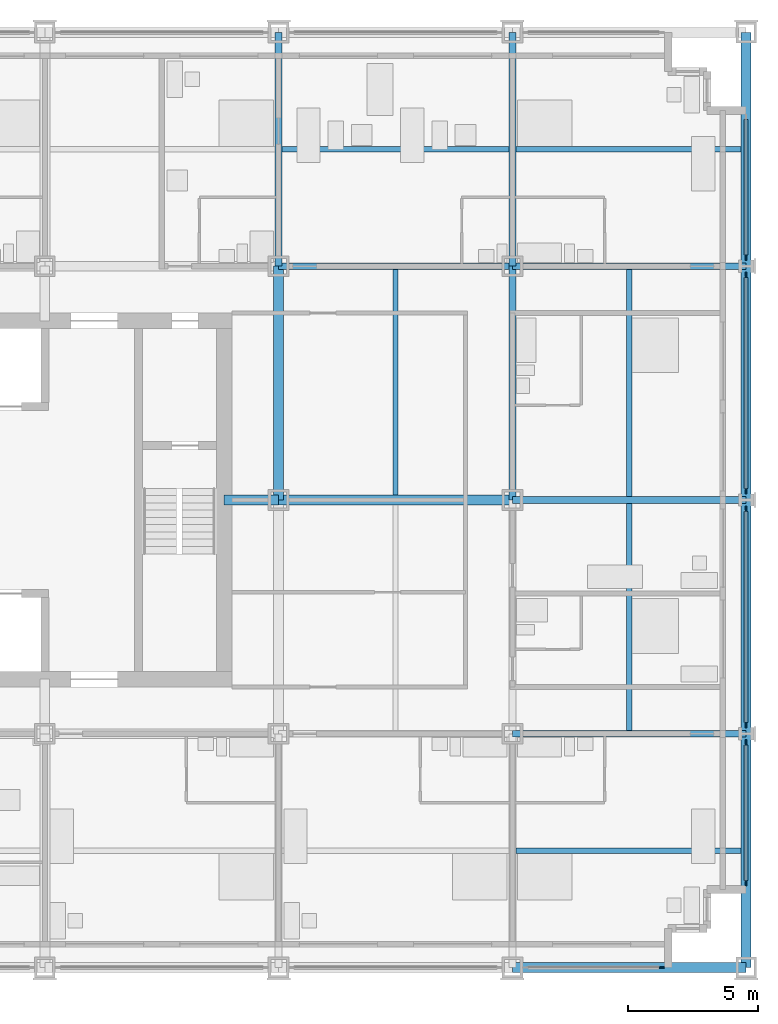
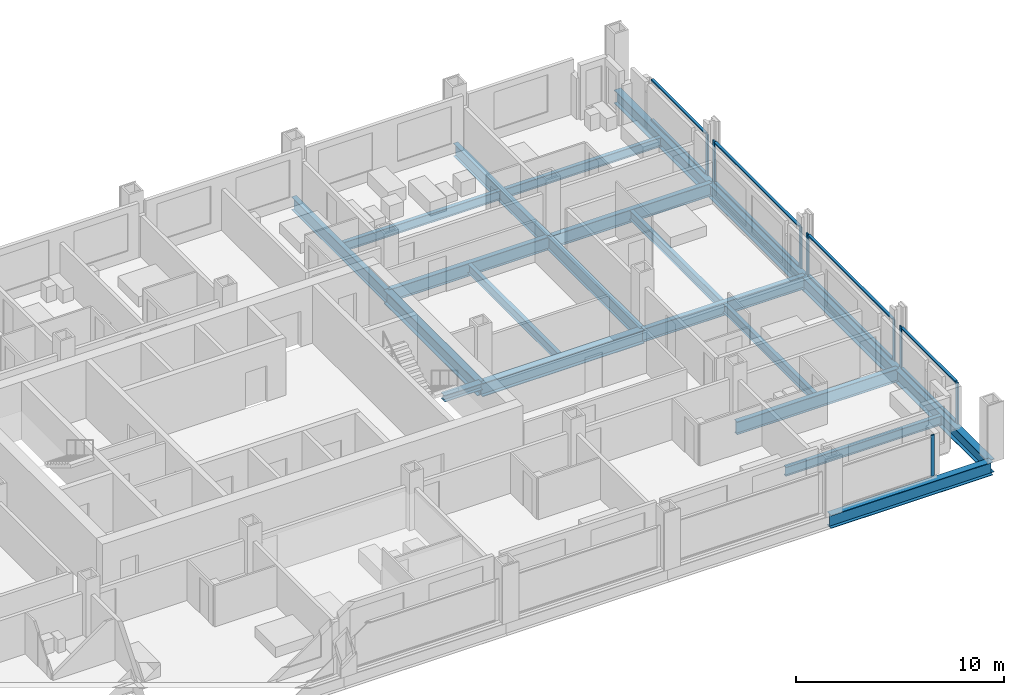
# One storey, part 6 of 18: 20 beams, 17 members, 5 elements without a shape of their own.
"""IFC4 building model written with IfcOpenShell, lengths in metres."""

import ifcopenshell
import ifcopenshell.guid

model = None  # the IFC model being written
_history = None  # IfcOwnerHistory: only IFC2X3 demands one
_inside = {}  # id of a spatial element -> (the spatial element, [elements in it])
_under = {}  # id of a project, library or spatial element -> (it, [spatial elements below it])
_declared = {}  # id of a project -> (the project, [libraries it declares])
_typed = {}  # id of a type object -> (the type object, [elements of that type])
_made_of = {}  # id of a material, layer set ... -> (it, [elements and type objects made of it])


def new_model(schema):
    """Start an empty IFC model of exactly this schema.

    Asked for "IFC4X3", IfcOpenShell would pick the latest addendum, in which some entities
    have other attributes; the version numbers below select the first issue.
    IFC2X3 requires an IfcOwnerHistory on every rooted entity: one is made here for all.
    """
    global model, _history
    if schema == "IFC4X3":
        model = ifcopenshell.file(schema_version=(4, 3, 0, 0))
    else:
        model = ifcopenshell.file(schema=schema)
    _inside.clear()
    _under.clear()
    _declared.clear()
    _typed.clear()
    _made_of.clear()
    _history = None
    if model.schema == "IFC2X3":
        org = make("IfcOrganization", Name="unknown")
        user = make(
            "IfcPersonAndOrganization",
            ThePerson=make("IfcPerson", FamilyName="unknown"),
            TheOrganization=org,
        )
        app = make(
            "IfcApplication",
            ApplicationDeveloper=org,
            Version="unknown",
            ApplicationFullName="unknown",
            ApplicationIdentifier="unknown",
        )
        _history = make(
            "IfcOwnerHistory",
            OwningUser=user,
            OwningApplication=app,
            ChangeAction="ADDED",
            CreationDate=0,
        )
    return model


def make(cls, **values):
    """One entity of the class cls with the attributes given. An attribute that is None is left unset."""
    return model.create_entity(
        cls, **{name: value for name, value in values.items() if value is not None}
    )


def rooted(cls, **values):
    """An entity with a GlobalId (a new one), such as an element, a storey or a relation."""
    return make(cls, GlobalId=ifcopenshell.guid.new(), OwnerHistory=_history, **values)


def si_unit(unit_type, name, prefix=None):
    """IfcSIUnit, for example si_unit("LENGTHUNIT", "METRE", prefix="MILLI")."""
    return make("IfcSIUnit", UnitType=unit_type, Prefix=prefix, Name=name)


def assignment(units):
    """IfcUnitAssignment: the units of a project."""
    return None if units is None else make("IfcUnitAssignment", Units=units)


def point(xyz):
    """IfcCartesianPoint."""
    return None if xyz is None else make("IfcCartesianPoint", Coordinates=xyz)


def direction(xyz):
    """IfcDirection."""
    return None if xyz is None else make("IfcDirection", DirectionRatios=xyz)


def frame(location, z_axis=None, x_axis=None):
    """IfcAxis2Placement3D, a coordinate frame: its origin and axes. An axis left out is left unset."""
    return make(
        "IfcAxis2Placement3D",
        Location=point(location),
        Axis=direction(z_axis),
        RefDirection=direction(x_axis),
    )


def frame_2d(location, x_axis=None):
    """IfcAxis2Placement2D, a coordinate frame in the plane: its origin and x axis."""
    return make(
        "IfcAxis2Placement2D", Location=point(location), RefDirection=direction(x_axis)
    )


def origin():
    """The frame at (0, 0, 0) with its axes left unset."""
    return frame((0.0, 0.0, 0.0))


def origin_2d():
    """The frame at (0, 0) in the plane with its x axis left unset."""
    return frame_2d((0.0, 0.0))


def place(relative_to, where):
    """IfcLocalPlacement: puts the frame where relative to a parent placement (None: the world)."""
    return make(
        "IfcLocalPlacement", PlacementRelTo=relative_to, RelativePlacement=where
    )


def context(
    kind, dimensions, precision=None, world=None, true_north=None, identifier=None
):
    """IfcGeometricRepresentationContext, for example the 3D "Model" context."""
    return make(
        "IfcGeometricRepresentationContext",
        ContextIdentifier=identifier,
        ContextType=kind,
        CoordinateSpaceDimension=dimensions,
        Precision=precision,
        WorldCoordinateSystem=world,
        TrueNorth=true_north,
    )


def subcontext(parent, identifier, kind, view, scale=None):
    """IfcGeometricRepresentationSubContext, for example "Body" below "Model"."""
    return make(
        "IfcGeometricRepresentationSubContext",
        ContextIdentifier=identifier,
        ContextType=kind,
        ParentContext=parent,
        TargetScale=scale,
        TargetView=view,
    )


def project(units=None, contexts=None):
    """IfcProject with its units and contexts."""
    return rooted(
        "IfcProject",
        Name="project",
        RepresentationContexts=contexts,
        UnitsInContext=assignment(units),
    )


def spatial(cls, under=None, at=None, **own):
    """A site, building, storey or space (cls), placed at a placement, below another one or the project."""
    s = rooted(cls, ObjectPlacement=at, **own)
    if under is not None:
        _under.setdefault(under.id(), (under, []))[1].append(s)
    return s


def profile(cls, at=None, kind="AREA", **sizes):
    """A parametric profile (cls). Its sizes go by their IFC names, for example OverallWidth=200.0."""
    return make(cls, ProfileType=kind, Position=at, **sizes)


def rectangle(**sizes):
    """IfcRectangleProfileDef."""
    return profile("IfcRectangleProfileDef", **sizes)


def i_section(**sizes):
    """IfcIShapeProfileDef."""
    return profile("IfcIShapeProfileDef", **sizes)


def extrude(swept, where, along, depth):
    """IfcExtrudedAreaSolid: the profile swept, set in the frame where, extruded along a direction by depth."""
    return make(
        "IfcExtrudedAreaSolid",
        SweptArea=swept,
        Position=where,
        ExtrudedDirection=direction(along),
        Depth=depth,
    )


def shape(context_of_items, identifier, shape_type, items):
    """IfcShapeRepresentation: the items that make up one representation, for example the "Body"."""
    return make(
        "IfcShapeRepresentation",
        ContextOfItems=context_of_items,
        RepresentationIdentifier=identifier,
        RepresentationType=shape_type,
        Items=items,
    )


def material(Name=None, Category=None):
    """IfcMaterial."""
    return make("IfcMaterial", Name=Name, Category=Category)


def material_profile(
    of_material, cross_section, Name=None, Category=None, Priority=None
):
    """IfcMaterialProfile: a cross section and its material."""
    return make(
        "IfcMaterialProfile",
        Name=Name,
        Material=of_material,
        Profile=cross_section,
        Priority=Priority,
        Category=Category,
    )


def profile_set(profiles, Name=None, composite=None):
    """IfcMaterialProfileSet."""
    return make(
        "IfcMaterialProfileSet",
        Name=Name,
        MaterialProfiles=profiles,
        CompositeProfile=composite,
    )


def made_of(thing, what):
    """Note that an element or type object is made of a material, layer set ...; save() writes the relation."""
    if what is not None:
        _made_of.setdefault(what.id(), (what, []))[1].append(thing)
    return thing


def type_object(cls, material=None, **own):
    """A type object (cls), such as IfcWallType, which elements share."""
    return made_of(rooted(cls, **own), material)


def element(
    cls,
    number,
    at=None,
    inside=None,
    cuts=None,
    type_object=None,
    material=None,
    context=None,
    identifier="Body",
    shape_type=None,
    held_by="IfcProductDefinitionShape",
    body=None,
    shapes=None,
    **own,
):
    """One element of the class cls, such as IfcWall. Its Tag is "e" and its number.

    at: its placement. inside: the storey or other place that contains it. cuts: it is an
    opening in that element (IfcRelVoidsElement). A single representation is given by context,
    identifier, shape_type and body (its items); several are given by shapes. held_by: the class
    of the entity that holds the representations. save() writes the other relations.
    """
    e = rooted(cls, Tag="e%d" % number, ObjectPlacement=at, **own)
    if body is not None:
        shapes = [shape(context, identifier, shape_type, body)]
    if shapes is not None:
        e.Representation = make(held_by, Representations=shapes)
    if inside is not None:
        _inside.setdefault(inside.id(), (inside, []))[1].append(e)
    if cuts is not None:
        rooted(
            "IfcRelVoidsElement", RelatingBuildingElement=cuts, RelatedOpeningElement=e
        )
    if type_object is not None:
        _typed.setdefault(type_object.id(), (type_object, []))[1].append(e)
    return made_of(e, material)


def aggregate(whole, parts):
    """IfcRelAggregates: a whole, such as a stair, and the parts it consists of."""
    return rooted("IfcRelAggregates", RelatingObject=whole, RelatedObjects=parts)


def save(model, path):
    """Write the relations noted so far, then the file.

    IfcRelAggregates (storeys below a building ...), IfcRelContainedInSpatialStructure (elements
    in a storey), IfcRelDefinesByType, IfcRelAssociatesMaterial and IfcRelDeclares: one each for
    every whole, place, type object, material and project.
    """
    for whole, parts in _under.values():
        aggregate(whole, parts)
    for where, things in _inside.values():
        rooted(
            "IfcRelContainedInSpatialStructure",
            RelatedElements=things,
            RelatingStructure=where,
        )
    for kind, things in _typed.values():
        rooted("IfcRelDefinesByType", RelatedObjects=things, RelatingType=kind)
    for what, things in _made_of.values():
        rooted("IfcRelAssociatesMaterial", RelatedObjects=things, RelatingMaterial=what)
    for by, libraries in _declared.values():
        rooted("IfcRelDeclares", RelatingContext=by, RelatedDefinitions=libraries)
    model.write(path)


model = new_model("IFC4")

# Units and contexts
model_context = context("Model", 3, precision=1e-05, world=origin(), true_north=direction((0.0, 1.0)))
body_context = subcontext(model_context, "Body", "Model", "MODEL_VIEW")
ifc_project = project(units=[si_unit("LENGTHUNIT", "METRE"), si_unit("AREAUNIT", "SQUARE_METRE"), si_unit("VOLUMEUNIT", "CUBIC_METRE"), si_unit("PLANEANGLEUNIT", "RADIAN"), si_unit("MASSUNIT", "GRAM", prefix="KILO")], contexts=[model_context])

# Site, building, storey
site_placement = place(None, origin())
site = spatial("IfcSite", under=ifc_project, at=site_placement, CompositionType="ELEMENT")
building_placement = place(site_placement, origin())
building = spatial("IfcBuilding", under=site, at=building_placement, Name="Loomwork Tower", CompositionType="ELEMENT")
storey_placement = place(building_placement, frame((0.0, 0.0, 41.60009765625)))
storey = spatial("IfcBuildingStorey", under=building, at=storey_placement, Name="L09", CompositionType="ELEMENT", Elevation=41.60009765625)

# Beams
ifc_material_1 = material(Name="Steel ASTM A992", Category="steel")
ifc_material_profile_1 = material_profile(ifc_material_1, i_section(OverallWidth=0.383544921875, OverallDepth=0.794921875, WebThickness=0.02099609375, FlangeThickness=0.0380859375, at=origin_2d()), Name="W30x235")
ifc_profile_set_1 = profile_set([ifc_material_profile_1], Name="Steel ASTM A992")
beam_type_1 = type_object("IfcBeamType", Name="CORE FLANK GIRDER W30x235", PredefinedType="BEAM", material=ifc_profile_set_1)
for number, where, z_axis, x_axis, name in (
    (1, (36.0, 18.0, -0.59765625), (1.0, 0.0, 0.0), (0.0, 1.0, 0.0), "Core Flank Girder F/6-F/7 L09"),
    (2, (36.0, 18.0, -0.59765625), (0.0, 1.0, 0.0), (-1.0, 0.0, 0.0), "Core Flank Girder F/6-G/6 L09"),
):
    element("IfcBeam", number, at=place(storey_placement, frame(where, z_axis=z_axis, x_axis=x_axis)), inside=storey, type_object=beam_type_1, Name=name, PredefinedType="BEAM", context=body_context, shape_type="SweptSolid", body=[
        extrude(i_section(OverallWidth=0.383544921875, OverallDepth=0.794921875, WebThickness=0.02099609375, FlangeThickness=0.0380859375, at=origin_2d()), origin(), (0.0, 0.0, 1.0), 9.0),
    ])

# Member
ifc_material_2 = material(Name="Steel ASTM A992", Category="steel")
ifc_material_profile_2 = material_profile(ifc_material_2, i_section(OverallWidth=0.373291015625, OverallDepth=0.373291015625, WebThickness=0.016357421875, FlangeThickness=0.026123046875, at=origin_2d()), Name="W14x132")
ifc_profile_set_2 = profile_set([ifc_material_profile_2], Name="Steel ASTM A992")
member_type_1 = type_object("IfcMemberType", Name="CORE LINK STRUT W14x132", PredefinedType="STRUT", material=ifc_profile_set_2)
member_1_placement = place(storey_placement, frame((36.0, 18.0, -0.38671875), z_axis=(-1.0, 0.0, 0.0), x_axis=(0.0, -1.0, 0.0)))
element("IfcMember", 3, at=member_1_placement, inside=storey, type_object=member_type_1, Name="Core link strut F/6-33.900,18.000 L09", PredefinedType="STRUT", context=body_context, shape_type="SweptSolid", body=[
    extrude(i_section(OverallWidth=0.373291015625, OverallDepth=0.373291015625, WebThickness=0.016357421875, FlangeThickness=0.026123046875, at=origin_2d()), origin(), (0.0, 0.0, 1.0), 2.10009765625),
])

# Beams
ifc_material_3 = material(Name="Steel ASTM A992", Category="steel")
ifc_material_profile_3 = material_profile(ifc_material_3, i_section(OverallWidth=0.2666015625, OverallDepth=0.761962890625, WebThickness=0.014404296875, FlangeThickness=0.021484375, at=origin_2d()), Name="W30x116")
ifc_profile_set_3 = profile_set([ifc_material_profile_3], Name="Steel ASTM A992")
beam_type_2 = type_object("IfcBeamType", Name="FLOOR GIRDER W30x116", PredefinedType="BEAM", material=ifc_profile_set_3)
for number, where, z_axis, x_axis, name in (
    (4, (45.0, 9.0, -0.5810546875), (1.0, 0.0, 0.0), (0.0, 1.0, 0.0), "Floor Girder E/7-E/8 L09"),
    (5, (45.0, 18.0, -0.5810546875), (1.0, 0.0, 0.0), (0.0, 1.0, 0.0), "Floor Girder F/7-F/8 L09"),
    (6, (36.0, 27.0, -0.5810546875), (1.0, 0.0, 0.0), (0.0, 1.0, 0.0), "Floor Girder G/6-G/7 L09"),
    (7, (45.0, 27.0, -0.5810546875), (1.0, 0.0, 0.0), (0.0, 1.0, 0.0), "Floor Girder G/7-G/8 L09"),
    (8, (36.0, 27.0, -0.5810546875), (0.0, 1.0, 0.0), (-1.0, 0.0, 0.0), "Floor Girder G/6-H/6 L09"),
    (9, (45.0, 18.0, -0.5810546875), (0.0, 1.0, 0.0), (-1.0, 0.0, 0.0), "Floor Girder F/7-G/7 L09"),
    (10, (45.0, 27.0, -0.5810546875), (0.0, 1.0, 0.0), (-1.0, 0.0, 0.0), "Floor Girder G/7-H/7 L09"),
):
    element("IfcBeam", number, at=place(storey_placement, frame(where, z_axis=z_axis, x_axis=x_axis)), inside=storey, type_object=beam_type_2, Name=name, PredefinedType="BEAM", context=body_context, shape_type="SweptSolid", body=[
        extrude(i_section(OverallWidth=0.2666015625, OverallDepth=0.761962890625, WebThickness=0.014404296875, FlangeThickness=0.021484375, at=origin_2d()), origin(), (0.0, 0.0, 1.0), 9.0),
    ])
ifc_material_4 = material(Name="Steel ASTM A992", Category="steel")
ifc_material_profile_4 = material_profile(ifc_material_4, i_section(OverallWidth=0.2109375, OverallDepth=0.53857421875, WebThickness=0.011474609375, FlangeThickness=0.018798828125, at=origin_2d()), Name="W21x73")
ifc_profile_set_4 = profile_set([ifc_material_profile_4], Name="Steel ASTM A992")
beam_type_3 = type_object("IfcBeamType", Name="FLOOR JOIST W21x73", PredefinedType="JOIST", material=ifc_profile_set_4)
beam_1_placement = place(storey_placement, frame((40.5, 18.19091796875, -0.46923828125), z_axis=(0.0, 1.0, 0.0), x_axis=(-1.0, 0.0, 0.0)))
element("IfcBeam", 11, at=beam_1_placement, inside=storey, type_object=beam_type_3, Name="Floor Joist 40.500,18.000-40.500,27.000 L09", PredefinedType="JOIST", context=body_context, shape_type="SweptSolid", body=[
    extrude(i_section(OverallWidth=0.2109375, OverallDepth=0.53857421875, WebThickness=0.011474609375, FlangeThickness=0.018798828125, at=origin_2d()), origin(), (0.0, 0.0, 1.0), 8.676025390625),
])
beam_2_placement = place(storey_placement, frame((36.133056640625, 31.5, -0.46923828125), z_axis=(1.0, 0.0, 0.0), x_axis=(0.0, 1.0, 0.0)))
element("IfcBeam", 12, at=beam_2_placement, inside=storey, type_object=beam_type_3, Name="Floor Joist 36.000,31.500-45.000,31.500 L09", PredefinedType="JOIST", context=body_context, shape_type="SweptSolid", body=[
    extrude(i_section(OverallWidth=0.2109375, OverallDepth=0.53857421875, WebThickness=0.011474609375, FlangeThickness=0.018798828125, at=origin_2d()), origin(), (0.0, 0.0, 1.0), 8.73388671875),
])
beam_3_placement = place(storey_placement, frame((45.133056640625, 4.5, -0.46923828125), z_axis=(1.0, 0.0, 0.0), x_axis=(0.0, 1.0, 0.0)))
element("IfcBeam", 13, at=beam_3_placement, inside=storey, type_object=beam_type_3, Name="Floor Joist 45.000,4.500-54.000,4.500 L09", PredefinedType="JOIST", context=body_context, shape_type="SweptSolid", body=[
    extrude(i_section(OverallWidth=0.2109375, OverallDepth=0.53857421875, WebThickness=0.011474609375, FlangeThickness=0.018798828125, at=origin_2d()), origin(), (0.0, 0.0, 1.0), 8.677001953125),
])
for number, where, z_axis, x_axis, name in (
    (14, (49.5, 9.133056640625, -0.46923828125), (0.0, 1.0, 0.0), (-1.0, 0.0, 0.0), "Floor Joist 49.500,9.000-49.500,18.000 L09"),
    (15, (49.5, 18.133056640625, -0.46923828125), (0.0, 1.0, 0.0), (-1.0, 0.0, 0.0), "Floor Joist 49.500,18.000-49.500,27.000 L09"),
):
    element("IfcBeam", number, at=place(storey_placement, frame(where, z_axis=z_axis, x_axis=x_axis)), inside=storey, type_object=beam_type_3, Name=name, PredefinedType="JOIST", context=body_context, shape_type="SweptSolid", body=[
        extrude(i_section(OverallWidth=0.2109375, OverallDepth=0.53857421875, WebThickness=0.011474609375, FlangeThickness=0.018798828125, at=origin_2d()), origin(), (0.0, 0.0, 1.0), 8.73388671875),
    ])
beam_4_placement = place(storey_placement, frame((45.133056640625, 31.5, -0.46923828125), z_axis=(1.0, 0.0, 0.0), x_axis=(0.0, 1.0, 0.0)))
element("IfcBeam", 16, at=beam_4_placement, inside=storey, type_object=beam_type_3, Name="Floor Joist 45.000,31.500-54.000,31.500 L09", PredefinedType="JOIST", context=body_context, shape_type="SweptSolid", body=[
    extrude(i_section(OverallWidth=0.2109375, OverallDepth=0.53857421875, WebThickness=0.011474609375, FlangeThickness=0.018798828125, at=origin_2d()), origin(), (0.0, 0.0, 1.0), 8.677001953125),
])

# Curtain wall, member
ifc_material_5 = material(Name="Aluminium curtain wall frame", Category="aluminium")
curtain_wall_type = type_object("IfcCurtainWallType", Name="Outer skin glazing hotel", PredefinedType="NOTDEFINED", material=ifc_material_5)
curtain_wall_1_placement = place(storey_placement, origin())
curtain_wall_1 = element("IfcCurtainWall", 17, at=curtain_wall_1_placement, inside=storey, type_object=curtain_wall_type, Name="Outer skin glazing hotel cw/S-45", PredefinedType="NOTDEFINED")
ifc_material_6 = material(Name="Aluminium curtain wall frame", Category="aluminium")
ifc_material_profile_5 = material_profile(ifc_material_6, rectangle(XDim=0.06494140625, YDim=0.199951171875, at=origin_2d()), Name="AL 65x200")
ifc_profile_set_5 = profile_set([ifc_material_profile_5], Name="Aluminium curtain wall frame")
member_type_2 = type_object("IfcMemberType", Name="Outer skin glazing hotel mullion", PredefinedType="MULLION", material=ifc_profile_set_5)
member_2_placement = place(storey_placement, frame((50.75, 0.0, 0.0), z_axis=(0.0, 0.0, 1.0), x_axis=(0.0, 1.0, 0.0)))
member_2 = element("IfcMember", 18, at=member_2_placement, type_object=member_type_2, Name="CW1 mullion 2", PredefinedType="MULLION", context=body_context, shape_type="SweptSolid", body=[
    extrude(rectangle(XDim=0.06494140625, YDim=0.199951171875, at=origin_2d()), origin(), (0.0, 0.0, 1.0), 2.420166015625),
])
aggregate(curtain_wall_1, [member_2])

# Curtain wall, members
curtain_wall_2_placement = place(storey_placement, origin())
curtain_wall_2 = element("IfcCurtainWall", 19, at=curtain_wall_2_placement, inside=storey, type_object=curtain_wall_type, Name="Outer skin glazing hotel cw/E-0", PredefinedType="NOTDEFINED")
member_3_placement = place(storey_placement, frame((54.0, 3.25, 0.0), z_axis=(0.0, 0.0, 1.0), x_axis=(-1.0, 0.0, 0.0)))
member_3 = element("IfcMember", 20, at=member_3_placement, type_object=member_type_2, Name="CW1 mullion 1", PredefinedType="MULLION", context=body_context, shape_type="SweptSolid", body=[
    extrude(rectangle(XDim=0.06494140625, YDim=0.199951171875, at=origin_2d()), origin(), (0.0, 0.0, 1.0), 2.420166015625),
])
member_4_placement = place(storey_placement, frame((54.0, 8.6611328125, 0.0), z_axis=(0.0, 0.0, 1.0), x_axis=(-1.0, 0.0, 0.0)))
member_4 = element("IfcMember", 21, at=member_4_placement, type_object=member_type_2, Name="CW1 mullion 2", PredefinedType="MULLION", context=body_context, shape_type="SweptSolid", body=[
    extrude(rectangle(XDim=0.06494140625, YDim=0.199951171875, at=origin_2d()), origin(), (0.0, 0.0, 1.0), 2.420166015625),
])

curtain_wall_3_placement = place(storey_placement, origin())
curtain_wall_3 = element("IfcCurtainWall", 22, at=curtain_wall_3_placement, inside=storey, type_object=curtain_wall_type, Name="Outer skin glazing hotel cw/E-9", PredefinedType="NOTDEFINED")
member_5_placement = place(storey_placement, frame((54.0, 9.3388671875, 0.0), z_axis=(0.0, 0.0, 1.0), x_axis=(-1.0, 0.0, 0.0)))
member_5 = element("IfcMember", 23, at=member_5_placement, type_object=member_type_2, Name="CW1 mullion 1", PredefinedType="MULLION", context=body_context, shape_type="SweptSolid", body=[
    extrude(rectangle(XDim=0.06494140625, YDim=0.199951171875, at=origin_2d()), origin(), (0.0, 0.0, 1.0), 2.420166015625),
])
member_6_placement = place(storey_placement, frame((54.0, 17.6611328125, 0.0), z_axis=(0.0, 0.0, 1.0), x_axis=(-1.0, 0.0, 0.0)))
member_6 = element("IfcMember", 24, at=member_6_placement, type_object=member_type_2, Name="CW1 mullion 2", PredefinedType="MULLION", context=body_context, shape_type="SweptSolid", body=[
    extrude(rectangle(XDim=0.06494140625, YDim=0.199951171875, at=origin_2d()), origin(), (0.0, 0.0, 1.0), 2.420166015625),
])

curtain_wall_4_placement = place(storey_placement, origin())
curtain_wall_4 = element("IfcCurtainWall", 25, at=curtain_wall_4_placement, inside=storey, type_object=curtain_wall_type, Name="Outer skin glazing hotel cw/E-18", PredefinedType="NOTDEFINED")
member_7_placement = place(storey_placement, frame((54.0, 18.3388671875, 0.0), z_axis=(0.0, 0.0, 1.0), x_axis=(-1.0, 0.0, 0.0)))
member_7 = element("IfcMember", 26, at=member_7_placement, type_object=member_type_2, Name="CW1 mullion 1", PredefinedType="MULLION", context=body_context, shape_type="SweptSolid", body=[
    extrude(rectangle(XDim=0.06494140625, YDim=0.199951171875, at=origin_2d()), origin(), (0.0, 0.0, 1.0), 2.420166015625),
])
member_8_placement = place(storey_placement, frame((54.0, 26.6611328125, 0.0), z_axis=(0.0, 0.0, 1.0), x_axis=(-1.0, 0.0, 0.0)))
member_8 = element("IfcMember", 27, at=member_8_placement, type_object=member_type_2, Name="CW1 mullion 2", PredefinedType="MULLION", context=body_context, shape_type="SweptSolid", body=[
    extrude(rectangle(XDim=0.06494140625, YDim=0.199951171875, at=origin_2d()), origin(), (0.0, 0.0, 1.0), 2.420166015625),
])

# Curtain wall, member
curtain_wall_5_placement = place(storey_placement, origin())
curtain_wall_5 = element("IfcCurtainWall", 28, at=curtain_wall_5_placement, inside=storey, type_object=curtain_wall_type, Name="Outer skin glazing hotel cw/E-27", PredefinedType="NOTDEFINED")
member_9_placement = place(storey_placement, frame((54.0, 27.3388671875, 0.0), z_axis=(0.0, 0.0, 1.0), x_axis=(-1.0, 0.0, 0.0)))
member_9 = element("IfcMember", 29, at=member_9_placement, type_object=member_type_2, Name="CW1 mullion 1", PredefinedType="MULLION", context=body_context, shape_type="SweptSolid", body=[
    extrude(rectangle(XDim=0.06494140625, YDim=0.199951171875, at=origin_2d()), origin(), (0.0, 0.0, 1.0), 2.420166015625),
])

# Member
ifc_material_7 = material(Name="Aluminium curtain wall frame", Category="aluminium")
ifc_material_profile_6 = material_profile(ifc_material_7, rectangle(XDim=0.14990234375, YDim=0.06494140625, at=origin_2d()), Name="AL 65x150")
ifc_profile_set_6 = profile_set([ifc_material_profile_6], Name="Aluminium curtain wall frame")
member_type_3 = type_object("IfcMemberType", Name="Outer skin glazing hotel transom", PredefinedType="USERDEFINED", material=ifc_profile_set_6)
member_10_placement = place(storey_placement, frame((54.0, 3.35009765625, 0.032470703125), z_axis=(0.0, 1.0, 0.0), x_axis=(-1.0, 0.0, 0.0)))
member_10 = element("IfcMember", 30, at=member_10_placement, type_object=member_type_3, Name="CW1 transom 1.1", ObjectType="TRANSOM", PredefinedType="USERDEFINED", context=body_context, shape_type="SweptSolid", body=[
    extrude(rectangle(XDim=0.14990234375, YDim=0.06494140625, at=origin_2d()), origin(), (0.0, 0.0, 1.0), 5.211181640625),
])

member_11_placement = place(storey_placement, frame((54.0, 3.35009765625, 2.3876953125), z_axis=(0.0, 1.0, 0.0), x_axis=(-1.0, 0.0, 0.0)))
member_11 = element("IfcMember", 31, at=member_11_placement, type_object=member_type_3, Name="CW1 transom 1.2", ObjectType="TRANSOM", PredefinedType="USERDEFINED", context=body_context, shape_type="SweptSolid", body=[
    extrude(rectangle(XDim=0.14990234375, YDim=0.06494140625, at=origin_2d()), origin(), (0.0, 0.0, 1.0), 5.211181640625),
])

aggregate(curtain_wall_2, [member_3, member_4, member_10, member_11])

member_12_placement = place(storey_placement, frame((54.0, 9.438720703125, 0.032470703125), z_axis=(0.0, 1.0, 0.0), x_axis=(-1.0, 0.0, 0.0)))
member_12 = element("IfcMember", 32, at=member_12_placement, type_object=member_type_3, Name="CW1 transom 1.1", ObjectType="TRANSOM", PredefinedType="USERDEFINED", context=body_context, shape_type="SweptSolid", body=[
    extrude(rectangle(XDim=0.14990234375, YDim=0.06494140625, at=origin_2d()), origin(), (0.0, 0.0, 1.0), 8.12255859375),
])

member_13_placement = place(storey_placement, frame((54.0, 9.438720703125, 2.3876953125), z_axis=(0.0, 1.0, 0.0), x_axis=(-1.0, 0.0, 0.0)))
member_13 = element("IfcMember", 33, at=member_13_placement, type_object=member_type_3, Name="CW1 transom 1.2", ObjectType="TRANSOM", PredefinedType="USERDEFINED", context=body_context, shape_type="SweptSolid", body=[
    extrude(rectangle(XDim=0.14990234375, YDim=0.06494140625, at=origin_2d()), origin(), (0.0, 0.0, 1.0), 8.12255859375),
])

aggregate(curtain_wall_3, [member_5, member_6, member_12, member_13])

member_14_placement = place(storey_placement, frame((54.0, 18.438720703125, 0.032470703125), z_axis=(0.0, 1.0, 0.0), x_axis=(-1.0, 0.0, 0.0)))
member_14 = element("IfcMember", 34, at=member_14_placement, type_object=member_type_3, Name="CW1 transom 1.1", ObjectType="TRANSOM", PredefinedType="USERDEFINED", context=body_context, shape_type="SweptSolid", body=[
    extrude(rectangle(XDim=0.14990234375, YDim=0.06494140625, at=origin_2d()), origin(), (0.0, 0.0, 1.0), 8.12255859375),
])

member_15_placement = place(storey_placement, frame((54.0, 18.438720703125, 2.3876953125), z_axis=(0.0, 1.0, 0.0), x_axis=(-1.0, 0.0, 0.0)))
member_15 = element("IfcMember", 35, at=member_15_placement, type_object=member_type_3, Name="CW1 transom 1.2", ObjectType="TRANSOM", PredefinedType="USERDEFINED", context=body_context, shape_type="SweptSolid", body=[
    extrude(rectangle(XDim=0.14990234375, YDim=0.06494140625, at=origin_2d()), origin(), (0.0, 0.0, 1.0), 8.12255859375),
])

aggregate(curtain_wall_4, [member_7, member_8, member_14, member_15])

member_16_placement = place(storey_placement, frame((54.0, 27.438720703125, 0.032470703125), z_axis=(0.0, 1.0, 0.0), x_axis=(-1.0, 0.0, 0.0)))
member_16 = element("IfcMember", 36, at=member_16_placement, type_object=member_type_3, Name="CW1 transom 1.1", ObjectType="TRANSOM", PredefinedType="USERDEFINED", context=body_context, shape_type="SweptSolid", body=[
    extrude(rectangle(XDim=0.14990234375, YDim=0.06494140625, at=origin_2d()), origin(), (0.0, 0.0, 1.0), 5.211181640625),
])

member_17_placement = place(storey_placement, frame((54.0, 27.438720703125, 2.3876953125), z_axis=(0.0, 1.0, 0.0), x_axis=(-1.0, 0.0, 0.0)))
member_17 = element("IfcMember", 37, at=member_17_placement, type_object=member_type_3, Name="CW1 transom 1.2", ObjectType="TRANSOM", PredefinedType="USERDEFINED", context=body_context, shape_type="SweptSolid", body=[
    extrude(rectangle(XDim=0.14990234375, YDim=0.06494140625, at=origin_2d()), origin(), (0.0, 0.0, 1.0), 5.211181640625),
])

aggregate(curtain_wall_5, [member_9, member_16, member_17])

# Beams
ifc_material_8 = material(Name="Steel ASTM A992", Category="steel")
ifc_material_profile_7 = material_profile(ifc_material_8, i_section(OverallWidth=0.381103515625, OverallDepth=0.77978515625, WebThickness=0.01806640625, FlangeThickness=0.0302734375, at=origin_2d()), Name="W30x191")
ifc_profile_set_7 = profile_set([ifc_material_profile_7], Name="Steel ASTM A992")
beam_type_4 = type_object("IfcBeamType", Name="SPANDREL GIRDER W30x191", PredefinedType="SPANDREL", material=ifc_profile_set_7)
for number, where, z_axis, x_axis, name in (
    (38, (45.0, 0.0, -0.590087890625), (1.0, 0.0, 0.0), (0.0, 1.0, 0.0), "Spandrel Girder D/7-D/8 L09"),
    (39, (54.0, 0.0, -0.590087890625), (0.0, 1.0, 0.0), (-1.0, 0.0, 0.0), "Spandrel Girder D/8-E/8 L09"),
    (40, (54.0, 9.0, -0.590087890625), (0.0, 1.0, 0.0), (-1.0, 0.0, 0.0), "Spandrel Girder E/8-F/8 L09"),
    (41, (54.0, 18.0, -0.590087890625), (0.0, 1.0, 0.0), (-1.0, 0.0, 0.0), "Spandrel Girder F/8-G/8 L09"),
    (42, (54.0, 27.0, -0.590087890625), (0.0, 1.0, 0.0), (-1.0, 0.0, 0.0), "Spandrel Girder G/8-H/8 L09"),
):
    element("IfcBeam", number, at=place(storey_placement, frame(where, z_axis=z_axis, x_axis=x_axis)), inside=storey, type_object=beam_type_4, Name=name, PredefinedType="SPANDREL", context=body_context, shape_type="SweptSolid", body=[
        extrude(i_section(OverallWidth=0.381103515625, OverallDepth=0.77978515625, WebThickness=0.01806640625, FlangeThickness=0.0302734375, at=origin_2d()), origin(), (0.0, 0.0, 1.0), 9.0),
    ])

save(model, "model.ifc")
